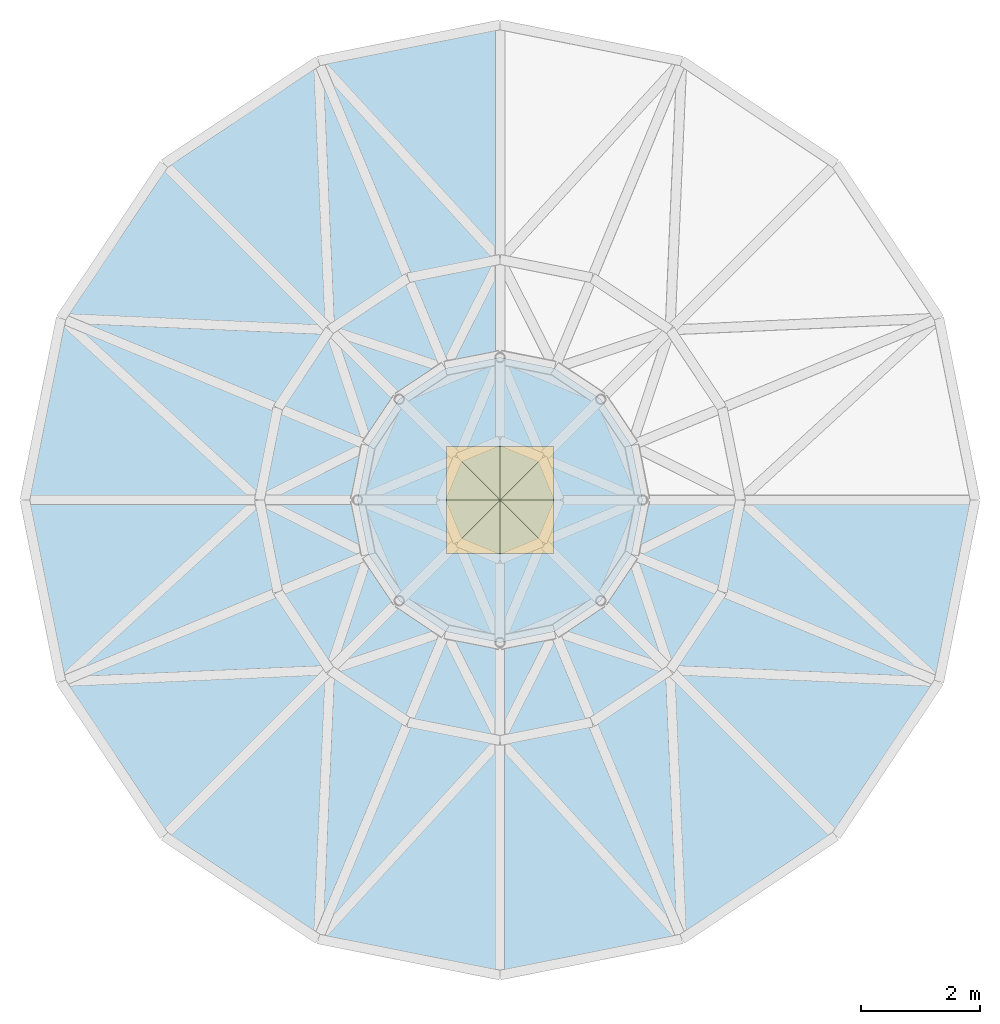
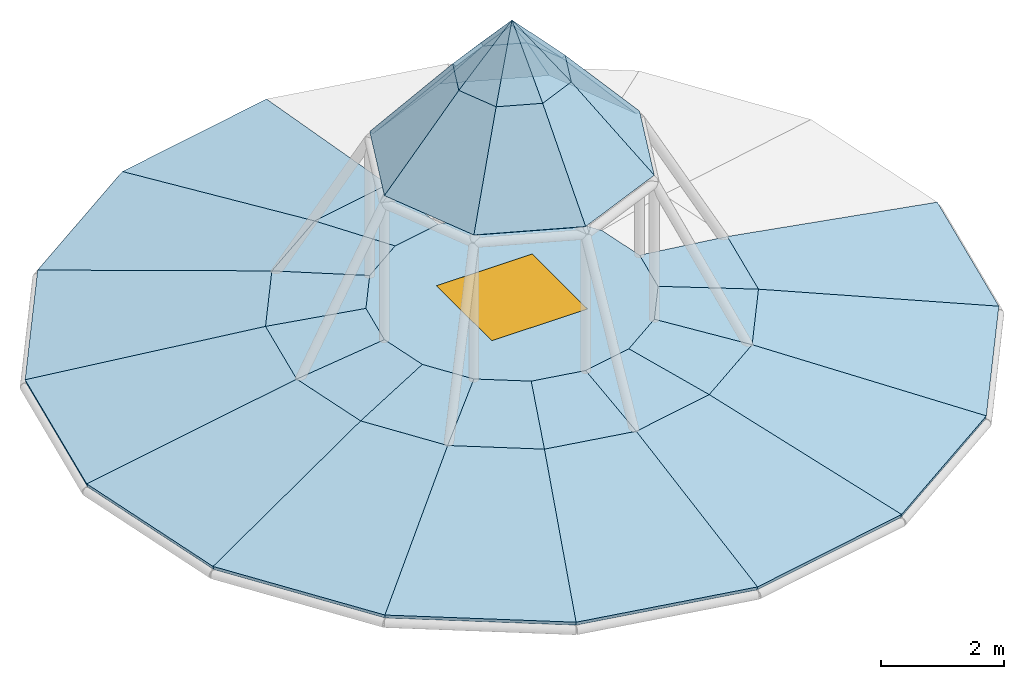
# One storey, part 3 of 4: 41 slabs, 1 window, 1 opening.
"""IFC4 building model written with IfcOpenShell, lengths in metres."""

from ifc_helpers import new_model, si_unit, direction, frame, origin, origin_2d, place, context, subcontext, project, spatial, polyline, rectangle, outline, extrude, faceted_brep, material, layer, layer_set, type_object, element, fill, save


model = new_model("IFC4")

# Units and contexts
model_context = context("Model", 3, precision=1e-05, world=origin(), true_north=direction((0.0, 1.0)))
body_context = subcontext(model_context, "Body", "Model", "MODEL_VIEW")
ifc_project = project(units=[si_unit("LENGTHUNIT", "METRE"), si_unit("AREAUNIT", "SQUARE_METRE"), si_unit("VOLUMEUNIT", "CUBIC_METRE"), si_unit("PLANEANGLEUNIT", "RADIAN"), si_unit("MASSUNIT", "GRAM", prefix="KILO")], contexts=[model_context])

# Site, building, storey
site_placement = place(None, origin())
site = spatial("IfcSite", under=ifc_project, at=site_placement, CompositionType="ELEMENT")
building_placement = place(site_placement, origin())
building = spatial("IfcBuilding", under=site, at=building_placement, Name="Kupolbacken Congress Centre", CompositionType="ELEMENT")
storey_placement = place(building_placement, frame((0.0, 0.0, 37.10009765625)))
storey = spatial("IfcBuildingStorey", under=building, at=storey_placement, Name="ROOF", CompositionType="ELEMENT", Elevation=37.10009765625)

# Slabs
ifc_material_1 = material(Name="Standing seam zinc roofing on boarding", Category="metal")
ifc_layer_1 = layer(ifc_material_1, 0.074951171875)
ifc_layer_set_1 = layer_set([ifc_layer_1], Name="Standing seam zinc roofing on boarding")
slab_type_1 = type_object("IfcSlabType", Name="DS1 dome shell panel 75", PredefinedType="ROOF", material=ifc_layer_set_1)
slab_1_placement = place(storey_placement, origin())
element("IfcSlab", 1, at=slab_1_placement, inside=storey, type_object=slab_type_1, Name="DM/PNL085", PredefinedType="ROOF", context=body_context, shape_type="Brep", body=[
    faceted_brep([(43.199951171875, 94.39990234375, 1.09912109375), (40.138427734375, 93.791015625, 1.09912109375), (41.650146484375, 90.1416015625, 1.799072265625), (43.199951171875, 90.449951171875, 1.799072265625), (43.199951171875, 90.438232421875, 1.724853515625), (41.654541015625, 90.130859375, 1.724853515625), (40.145263671875, 93.7744140625, 1.026123046875), (43.199951171875, 94.3818359375, 1.026123046875)], [[[0, 1, 2, 3]], [[4, 5, 6, 7]], [[0, 7, 6, 1]], [[1, 6, 5, 2]], [[2, 5, 4, 3]], [[3, 4, 7, 0]]]),
])
slab_2_placement = place(storey_placement, origin())
element("IfcSlab", 2, at=slab_2_placement, inside=storey, type_object=slab_type_1, Name="DM/PNL086", PredefinedType="ROOF", context=body_context, shape_type="Brep", body=[
    faceted_brep([(40.138427734375, 93.791015625, 1.09912109375), (37.543212890625, 92.056884765625, 1.09912109375), (40.336181640625, 89.263671875, 1.799072265625), (41.650146484375, 90.1416015625, 1.799072265625), (41.654541015625, 90.130859375, 1.724853515625), (40.344482421875, 89.25537109375, 1.724853515625), (37.555908203125, 92.044189453125, 1.026123046875), (40.145263671875, 93.7744140625, 1.026123046875)], [[[0, 1, 2, 3]], [[4, 5, 6, 7]], [[0, 7, 6, 1]], [[1, 6, 5, 2]], [[2, 5, 4, 3]], [[3, 4, 7, 0]]]),
])
slab_3_placement = place(storey_placement, origin())
element("IfcSlab", 3, at=slab_3_placement, inside=storey, type_object=slab_type_1, Name="DM/PNL087", PredefinedType="ROOF", context=body_context, shape_type="Brep", body=[
    faceted_brep([(37.543212890625, 92.056884765625, 1.09912109375), (35.80908203125, 89.46142578125, 1.09912109375), (39.458251953125, 87.949951171875, 1.799072265625), (40.336181640625, 89.263671875, 1.799072265625), (40.344482421875, 89.25537109375, 1.724853515625), (39.468994140625, 87.945556640625, 1.724853515625), (35.82568359375, 89.45458984375, 1.026123046875), (37.555908203125, 92.044189453125, 1.026123046875)], [[[0, 1, 2, 3]], [[4, 5, 6, 7]], [[0, 7, 6, 1]], [[1, 6, 5, 2]], [[2, 5, 4, 3]], [[3, 4, 7, 0]]]),
])
slab_4_placement = place(storey_placement, origin())
element("IfcSlab", 4, at=slab_4_placement, inside=storey, type_object=slab_type_1, Name="DM/PNL088", PredefinedType="ROOF", context=body_context, shape_type="Brep", body=[
    faceted_brep([(35.80908203125, 89.46142578125, 1.09912109375), (35.199951171875, 86.39990234375, 1.09912109375), (39.14990234375, 86.39990234375, 1.799072265625), (39.458251953125, 87.949951171875, 1.799072265625), (39.468994140625, 87.945556640625, 1.724853515625), (39.16162109375, 86.39990234375, 1.724853515625), (35.218017578125, 86.39990234375, 1.026123046875), (35.82568359375, 89.45458984375, 1.026123046875)], [[[0, 1, 2, 3]], [[4, 5, 6, 7]], [[0, 7, 6, 1]], [[1, 6, 5, 2]], [[2, 5, 4, 3]], [[3, 4, 7, 0]]]),
])
slab_5_placement = place(storey_placement, origin())
element("IfcSlab", 5, at=slab_5_placement, inside=storey, type_object=slab_type_1, Name="DM/PNL089", PredefinedType="ROOF", context=body_context, shape_type="Brep", body=[
    faceted_brep([(35.199951171875, 86.39990234375, 1.09912109375), (35.80908203125, 83.338623046875, 1.09912109375), (39.458251953125, 84.85009765625, 1.799072265625), (39.14990234375, 86.39990234375, 1.799072265625), (39.16162109375, 86.39990234375, 1.724853515625), (39.468994140625, 84.8544921875, 1.724853515625), (35.82568359375, 83.345458984375, 1.026123046875), (35.218017578125, 86.39990234375, 1.026123046875)], [[[0, 1, 2, 3]], [[4, 5, 6, 7]], [[0, 7, 6, 1]], [[1, 6, 5, 2]], [[2, 5, 4, 3]], [[3, 4, 7, 0]]]),
])
slab_6_placement = place(storey_placement, origin())
element("IfcSlab", 6, at=slab_6_placement, inside=storey, type_object=slab_type_1, Name="DM/PNL090", PredefinedType="ROOF", context=body_context, shape_type="Brep", body=[
    faceted_brep([(35.80908203125, 83.338623046875, 1.09912109375), (37.543212890625, 80.7431640625, 1.09912109375), (40.336181640625, 83.5361328125, 1.799072265625), (39.458251953125, 84.85009765625, 1.799072265625), (39.468994140625, 84.8544921875, 1.724853515625), (40.344482421875, 83.54443359375, 1.724853515625), (37.555908203125, 80.755859375, 1.026123046875), (35.82568359375, 83.345458984375, 1.026123046875)], [[[0, 1, 2, 3]], [[4, 5, 6, 7]], [[0, 7, 6, 1]], [[1, 6, 5, 2]], [[2, 5, 4, 3]], [[3, 4, 7, 0]]]),
])
slab_7_placement = place(storey_placement, origin())
element("IfcSlab", 7, at=slab_7_placement, inside=storey, type_object=slab_type_1, Name="DM/PNL091", PredefinedType="ROOF", context=body_context, shape_type="Brep", body=[
    faceted_brep([(37.543212890625, 80.7431640625, 1.09912109375), (40.138427734375, 79.009033203125, 1.09912109375), (41.650146484375, 82.658203125, 1.799072265625), (40.336181640625, 83.5361328125, 1.799072265625), (40.344482421875, 83.54443359375, 1.724853515625), (41.654541015625, 82.6689453125, 1.724853515625), (40.145263671875, 79.025634765625, 1.026123046875), (37.555908203125, 80.755859375, 1.026123046875)], [[[0, 1, 2, 3]], [[4, 5, 6, 7]], [[0, 7, 6, 1]], [[1, 6, 5, 2]], [[2, 5, 4, 3]], [[3, 4, 7, 0]]]),
])
slab_8_placement = place(storey_placement, origin())
element("IfcSlab", 8, at=slab_8_placement, inside=storey, type_object=slab_type_1, Name="DM/PNL092", PredefinedType="ROOF", context=body_context, shape_type="Brep", body=[
    faceted_brep([(40.138427734375, 79.009033203125, 1.09912109375), (43.199951171875, 78.39990234375, 1.09912109375), (43.199951171875, 82.35009765625, 1.799072265625), (41.650146484375, 82.658203125, 1.799072265625), (41.654541015625, 82.6689453125, 1.724853515625), (43.199951171875, 82.36181640625, 1.724853515625), (43.199951171875, 78.41796875, 1.026123046875), (40.145263671875, 79.025634765625, 1.026123046875)], [[[0, 1, 2, 3]], [[4, 5, 6, 7]], [[0, 7, 6, 1]], [[1, 6, 5, 2]], [[2, 5, 4, 3]], [[3, 4, 7, 0]]]),
])
slab_9_placement = place(storey_placement, origin())
element("IfcSlab", 9, at=slab_9_placement, inside=storey, type_object=slab_type_1, Name="DM/PNL093", PredefinedType="ROOF", context=body_context, shape_type="Brep", body=[
    faceted_brep([(43.199951171875, 78.39990234375, 1.09912109375), (46.261474609375, 79.009033203125, 1.09912109375), (44.749755859375, 82.658203125, 1.799072265625), (43.199951171875, 82.35009765625, 1.799072265625), (43.199951171875, 82.36181640625, 1.724853515625), (44.745361328125, 82.6689453125, 1.724853515625), (46.254638671875, 79.025634765625, 1.026123046875), (43.199951171875, 78.41796875, 1.026123046875)], [[[0, 1, 2, 3]], [[4, 5, 6, 7]], [[0, 7, 6, 1]], [[1, 6, 5, 2]], [[2, 5, 4, 3]], [[3, 4, 7, 0]]]),
])
slab_10_placement = place(storey_placement, origin())
element("IfcSlab", 10, at=slab_10_placement, inside=storey, type_object=slab_type_1, Name="DM/PNL094", PredefinedType="ROOF", context=body_context, shape_type="Brep", body=[
    faceted_brep([(46.261474609375, 79.009033203125, 1.09912109375), (48.85693359375, 80.7431640625, 1.09912109375), (46.063720703125, 83.5361328125, 1.799072265625), (44.749755859375, 82.658203125, 1.799072265625), (44.745361328125, 82.6689453125, 1.724853515625), (46.055419921875, 83.54443359375, 1.724853515625), (48.84423828125, 80.755859375, 1.026123046875), (46.254638671875, 79.025634765625, 1.026123046875)], [[[0, 1, 2, 3]], [[4, 5, 6, 7]], [[0, 7, 6, 1]], [[1, 6, 5, 2]], [[2, 5, 4, 3]], [[3, 4, 7, 0]]]),
])
slab_11_placement = place(storey_placement, origin())
element("IfcSlab", 11, at=slab_11_placement, inside=storey, type_object=slab_type_1, Name="DM/PNL095", PredefinedType="ROOF", context=body_context, shape_type="Brep", body=[
    faceted_brep([(48.85693359375, 80.7431640625, 1.09912109375), (50.591064453125, 83.338623046875, 1.09912109375), (46.941650390625, 84.85009765625, 1.799072265625), (46.063720703125, 83.5361328125, 1.799072265625), (46.055419921875, 83.54443359375, 1.724853515625), (46.930908203125, 84.8544921875, 1.724853515625), (50.574462890625, 83.345458984375, 1.026123046875), (48.84423828125, 80.755859375, 1.026123046875)], [[[0, 1, 2, 3]], [[4, 5, 6, 7]], [[0, 7, 6, 1]], [[1, 6, 5, 2]], [[2, 5, 4, 3]], [[3, 4, 7, 0]]]),
])
slab_12_placement = place(storey_placement, origin())
element("IfcSlab", 12, at=slab_12_placement, inside=storey, type_object=slab_type_1, Name="DM/PNL096", PredefinedType="ROOF", context=body_context, shape_type="Brep", body=[
    faceted_brep([(50.591064453125, 83.338623046875, 1.09912109375), (51.199951171875, 86.39990234375, 1.09912109375), (47.25, 86.39990234375, 1.799072265625), (46.941650390625, 84.85009765625, 1.799072265625), (46.930908203125, 84.8544921875, 1.724853515625), (47.23828125, 86.39990234375, 1.724853515625), (51.181884765625, 86.39990234375, 1.026123046875), (50.574462890625, 83.345458984375, 1.026123046875)], [[[0, 1, 2, 3]], [[4, 5, 6, 7]], [[0, 7, 6, 1]], [[1, 6, 5, 2]], [[2, 5, 4, 3]], [[3, 4, 7, 0]]]),
])
slab_13_placement = place(storey_placement, origin())
element("IfcSlab", 13, at=slab_13_placement, inside=storey, type_object=slab_type_1, Name="DM/PNL101", PredefinedType="ROOF", context=body_context, shape_type="Brep", body=[
    faceted_brep([(43.199951171875, 90.449951171875, 1.799072265625), (41.650146484375, 90.1416015625, 1.799072265625), (42.281494140625, 88.617431640625, 2.006103515625), (43.199951171875, 88.800048828125, 2.006103515625), (43.199951171875, 88.790283203125, 1.931640625), (42.28515625, 88.6083984375, 1.931640625), (41.654541015625, 90.130859375, 1.724853515625), (43.199951171875, 90.438232421875, 1.724853515625)], [[[0, 1, 2, 3]], [[4, 5, 6, 7]], [[0, 7, 6, 1]], [[1, 6, 5, 2]], [[2, 5, 4, 3]], [[3, 4, 7, 0]]]),
])
slab_14_placement = place(storey_placement, origin())
element("IfcSlab", 14, at=slab_14_placement, inside=storey, type_object=slab_type_1, Name="DM/PNL102", PredefinedType="ROOF", context=body_context, shape_type="Brep", body=[
    faceted_brep([(41.650146484375, 90.1416015625, 1.799072265625), (40.336181640625, 89.263671875, 1.799072265625), (41.5029296875, 88.09716796875, 2.006103515625), (42.281494140625, 88.617431640625, 2.006103515625), (42.28515625, 88.6083984375, 1.931640625), (41.509765625, 88.09033203125, 1.931640625), (40.344482421875, 89.25537109375, 1.724853515625), (41.654541015625, 90.130859375, 1.724853515625)], [[[0, 1, 2, 3]], [[4, 5, 6, 7]], [[0, 7, 6, 1]], [[1, 6, 5, 2]], [[2, 5, 4, 3]], [[3, 4, 7, 0]]]),
])
slab_15_placement = place(storey_placement, origin())
element("IfcSlab", 15, at=slab_15_placement, inside=storey, type_object=slab_type_1, Name="DM/PNL103", PredefinedType="ROOF", context=body_context, shape_type="Brep", body=[
    faceted_brep([(40.336181640625, 89.263671875, 1.799072265625), (39.458251953125, 87.949951171875, 1.799072265625), (40.982666015625, 87.318359375, 2.006103515625), (41.5029296875, 88.09716796875, 2.006103515625), (41.509765625, 88.09033203125, 1.931640625), (40.99169921875, 87.314697265625, 1.931640625), (39.468994140625, 87.945556640625, 1.724853515625), (40.344482421875, 89.25537109375, 1.724853515625)], [[[0, 1, 2, 3]], [[4, 5, 6, 7]], [[0, 7, 6, 1]], [[1, 6, 5, 2]], [[2, 5, 4, 3]], [[3, 4, 7, 0]]]),
])
slab_16_placement = place(storey_placement, origin())
element("IfcSlab", 16, at=slab_16_placement, inside=storey, type_object=slab_type_1, Name="DM/PNL104", PredefinedType="ROOF", context=body_context, shape_type="Brep", body=[
    faceted_brep([(39.458251953125, 87.949951171875, 1.799072265625), (39.14990234375, 86.39990234375, 1.799072265625), (40.800048828125, 86.39990234375, 2.006103515625), (40.982666015625, 87.318359375, 2.006103515625), (40.99169921875, 87.314697265625, 1.931640625), (40.809814453125, 86.39990234375, 1.931640625), (39.16162109375, 86.39990234375, 1.724853515625), (39.468994140625, 87.945556640625, 1.724853515625)], [[[0, 1, 2, 3]], [[4, 5, 6, 7]], [[0, 7, 6, 1]], [[1, 6, 5, 2]], [[2, 5, 4, 3]], [[3, 4, 7, 0]]]),
])
slab_17_placement = place(storey_placement, origin())
element("IfcSlab", 17, at=slab_17_placement, inside=storey, type_object=slab_type_1, Name="DM/PNL105", PredefinedType="ROOF", context=body_context, shape_type="Brep", body=[
    faceted_brep([(39.14990234375, 86.39990234375, 1.799072265625), (39.458251953125, 84.85009765625, 1.799072265625), (40.982666015625, 85.4814453125, 2.006103515625), (40.800048828125, 86.39990234375, 2.006103515625), (40.809814453125, 86.39990234375, 1.931640625), (40.99169921875, 85.485107421875, 1.931640625), (39.468994140625, 84.8544921875, 1.724853515625), (39.16162109375, 86.39990234375, 1.724853515625)], [[[0, 1, 2, 3]], [[4, 5, 6, 7]], [[0, 7, 6, 1]], [[1, 6, 5, 2]], [[2, 5, 4, 3]], [[3, 4, 7, 0]]]),
])
slab_18_placement = place(storey_placement, origin())
element("IfcSlab", 18, at=slab_18_placement, inside=storey, type_object=slab_type_1, Name="DM/PNL106", PredefinedType="ROOF", context=body_context, shape_type="Brep", body=[
    faceted_brep([(39.458251953125, 84.85009765625, 1.799072265625), (40.336181640625, 83.5361328125, 1.799072265625), (41.5029296875, 84.702880859375, 2.006103515625), (40.982666015625, 85.4814453125, 2.006103515625), (40.99169921875, 85.485107421875, 1.931640625), (41.509765625, 84.709716796875, 1.931640625), (40.344482421875, 83.54443359375, 1.724853515625), (39.468994140625, 84.8544921875, 1.724853515625)], [[[0, 1, 2, 3]], [[4, 5, 6, 7]], [[0, 7, 6, 1]], [[1, 6, 5, 2]], [[2, 5, 4, 3]], [[3, 4, 7, 0]]]),
])
slab_19_placement = place(storey_placement, origin())
element("IfcSlab", 19, at=slab_19_placement, inside=storey, type_object=slab_type_1, Name="DM/PNL107", PredefinedType="ROOF", context=body_context, shape_type="Brep", body=[
    faceted_brep([(40.336181640625, 83.5361328125, 1.799072265625), (41.650146484375, 82.658203125, 1.799072265625), (42.281494140625, 84.1826171875, 2.006103515625), (41.5029296875, 84.702880859375, 2.006103515625), (41.509765625, 84.709716796875, 1.931640625), (42.28515625, 84.191650390625, 1.931640625), (41.654541015625, 82.6689453125, 1.724853515625), (40.344482421875, 83.54443359375, 1.724853515625)], [[[0, 1, 2, 3]], [[4, 5, 6, 7]], [[0, 7, 6, 1]], [[1, 6, 5, 2]], [[2, 5, 4, 3]], [[3, 4, 7, 0]]]),
])
slab_20_placement = place(storey_placement, origin())
element("IfcSlab", 20, at=slab_20_placement, inside=storey, type_object=slab_type_1, Name="DM/PNL108", PredefinedType="ROOF", context=body_context, shape_type="Brep", body=[
    faceted_brep([(41.650146484375, 82.658203125, 1.799072265625), (43.199951171875, 82.35009765625, 1.799072265625), (43.199951171875, 84.0, 2.006103515625), (42.281494140625, 84.1826171875, 2.006103515625), (42.28515625, 84.191650390625, 1.931640625), (43.199951171875, 84.009765625, 1.931640625), (43.199951171875, 82.36181640625, 1.724853515625), (41.654541015625, 82.6689453125, 1.724853515625)], [[[0, 1, 2, 3]], [[4, 5, 6, 7]], [[0, 7, 6, 1]], [[1, 6, 5, 2]], [[2, 5, 4, 3]], [[3, 4, 7, 0]]]),
])
slab_21_placement = place(storey_placement, origin())
element("IfcSlab", 21, at=slab_21_placement, inside=storey, type_object=slab_type_1, Name="DM/PNL109", PredefinedType="ROOF", context=body_context, shape_type="Brep", body=[
    faceted_brep([(43.199951171875, 82.35009765625, 1.799072265625), (44.749755859375, 82.658203125, 1.799072265625), (44.118408203125, 84.1826171875, 2.006103515625), (43.199951171875, 84.0, 2.006103515625), (43.199951171875, 84.009765625, 1.931640625), (44.11474609375, 84.191650390625, 1.931640625), (44.745361328125, 82.6689453125, 1.724853515625), (43.199951171875, 82.36181640625, 1.724853515625)], [[[0, 1, 2, 3]], [[4, 5, 6, 7]], [[0, 7, 6, 1]], [[1, 6, 5, 2]], [[2, 5, 4, 3]], [[3, 4, 7, 0]]]),
])
slab_22_placement = place(storey_placement, origin())
element("IfcSlab", 22, at=slab_22_placement, inside=storey, type_object=slab_type_1, Name="DM/PNL110", PredefinedType="ROOF", context=body_context, shape_type="Brep", body=[
    faceted_brep([(44.749755859375, 82.658203125, 1.799072265625), (46.063720703125, 83.5361328125, 1.799072265625), (44.89697265625, 84.702880859375, 2.006103515625), (44.118408203125, 84.1826171875, 2.006103515625), (44.11474609375, 84.191650390625, 1.931640625), (44.89013671875, 84.709716796875, 1.931640625), (46.055419921875, 83.54443359375, 1.724853515625), (44.745361328125, 82.6689453125, 1.724853515625)], [[[0, 1, 2, 3]], [[4, 5, 6, 7]], [[0, 7, 6, 1]], [[1, 6, 5, 2]], [[2, 5, 4, 3]], [[3, 4, 7, 0]]]),
])
slab_23_placement = place(storey_placement, origin())
element("IfcSlab", 23, at=slab_23_placement, inside=storey, type_object=slab_type_1, Name="DM/PNL111", PredefinedType="ROOF", context=body_context, shape_type="Brep", body=[
    faceted_brep([(46.063720703125, 83.5361328125, 1.799072265625), (46.941650390625, 84.85009765625, 1.799072265625), (45.417236328125, 85.4814453125, 2.006103515625), (44.89697265625, 84.702880859375, 2.006103515625), (44.89013671875, 84.709716796875, 1.931640625), (45.408203125, 85.485107421875, 1.931640625), (46.930908203125, 84.8544921875, 1.724853515625), (46.055419921875, 83.54443359375, 1.724853515625)], [[[0, 1, 2, 3]], [[4, 5, 6, 7]], [[0, 7, 6, 1]], [[1, 6, 5, 2]], [[2, 5, 4, 3]], [[3, 4, 7, 0]]]),
])
slab_24_placement = place(storey_placement, origin())
element("IfcSlab", 24, at=slab_24_placement, inside=storey, type_object=slab_type_1, Name="DM/PNL112", PredefinedType="ROOF", context=body_context, shape_type="Brep", body=[
    faceted_brep([(46.941650390625, 84.85009765625, 1.799072265625), (47.25, 86.39990234375, 1.799072265625), (45.60009765625, 86.39990234375, 2.006103515625), (45.417236328125, 85.4814453125, 2.006103515625), (45.408203125, 85.485107421875, 1.931640625), (45.59033203125, 86.39990234375, 1.931640625), (47.23828125, 86.39990234375, 1.724853515625), (46.930908203125, 84.8544921875, 1.724853515625)], [[[0, 1, 2, 3]], [[4, 5, 6, 7]], [[0, 7, 6, 1]], [[1, 6, 5, 2]], [[2, 5, 4, 3]], [[3, 4, 7, 0]]]),
])

# Slab, opening, window
slab_25_placement = place(storey_placement, frame((0.0, 0.0, 1.930908203125)))
slab_25 = element("IfcSlab", 25, at=slab_25_placement, inside=storey, type_object=slab_type_1, Name="DM/PLATE", PredefinedType="ROOF", context=body_context, shape_type="SweptSolid", body=[
    extrude(outline(polyline([(45.60009765625, 86.39990234375), (45.417236328125, 87.318359375), (44.89697265625, 88.09716796875), (44.118408203125, 88.617431640625), (43.199951171875, 88.800048828125), (42.281494140625, 88.617431640625), (41.5029296875, 88.09716796875), (40.982666015625, 87.318359375), (40.800048828125, 86.39990234375), (40.982666015625, 85.4814453125), (41.5029296875, 84.702880859375), (42.281494140625, 84.1826171875), (43.199951171875, 84.0), (44.118408203125, 84.1826171875), (44.89697265625, 84.702880859375), (45.417236328125, 85.4814453125), (45.60009765625, 86.39990234375)]), holes=[polyline([(42.300048828125, 87.300048828125), (44.10009765625, 87.300048828125), (44.10009765625, 85.5), (42.300048828125, 85.5), (42.300048828125, 87.300048828125)])]), origin(), (0.0, 0.0, 1.0), 0.0751953125),
])
opening_placement = place(slab_25_placement, frame((43.199951171875, 86.39990234375, 0.0)))
opening = element("IfcOpeningElement", 26, at=opening_placement, cuts=slab_25, Name="Opening W21", PredefinedType="OPENING", context=body_context, shape_type="SweptSolid", body=[
    extrude(rectangle(XDim=1.800048828125, YDim=1.800048828125, at=origin_2d()), origin(), (0.0, 0.0, 1.0), 0.0751953125),
])
ifc_material_2 = material(Name="Aluminium frame with double or triple glazing", Category="aluminium")
window_type = type_object("IfcWindowType", Name="W21 rooflight 1800x1800", PartitioningType="SINGLE_PANEL", PredefinedType="SKYLIGHT", material=ifc_material_2)
window_placement = place(opening_placement, frame((0.0, 0.0, 0.025146484375)))
window = element("IfcWindow", 27, at=window_placement, inside=storey, type_object=window_type, Name="DM/PLATE/RL1", OverallHeight=1.800048828125, OverallWidth=1.800048828125, PartitioningType="SINGLE_PANEL", PredefinedType="SKYLIGHT", context=body_context, shape_type="SweptSolid", body=[
    extrude(rectangle(XDim=1.800048828125, YDim=1.800048828125, at=origin_2d()), origin(), (0.0, 0.0, 1.0), 0.050048828125),
])
fill(opening, window)

# Slabs
ifc_material_3 = material(Name="Standing seam zinc roofing on boarding", Category="metal")
ifc_layer_2 = layer(ifc_material_3, 0.06494140625)
ifc_layer_set_2 = layer_set([ifc_layer_2], Name="Standing seam zinc roofing on boarding")
slab_type_2 = type_object("IfcSlabType", Name="DS2 lantern shell panel 65", PredefinedType="ROOF", material=ifc_layer_set_2)
slab_26_placement = place(storey_placement, origin())
element("IfcSlab", 28, at=slab_26_placement, inside=storey, type_object=slab_type_2, Name="DM/LAN/CAP/PNL001", PredefinedType="ROOF", context=body_context, shape_type="Brep", body=[
    faceted_brep([(45.60009765625, 86.39990234375, 4.8701171875), (44.89697265625, 88.09716796875, 4.8701171875), (43.9072265625, 87.107177734375, 6.47216796875), (44.199951171875, 86.39990234375, 6.47216796875), (44.146240234375, 86.39990234375, 6.430419921875), (43.869140625, 87.069091796875, 6.43017578125), (44.8583984375, 88.05859375, 4.829345703125), (45.54541015625, 86.39990234375, 4.829345703125)], [[[0, 1, 2, 3]], [[4, 5, 6, 7]], [[0, 7, 6, 1]], [[1, 6, 5, 2]], [[2, 5, 4, 3]], [[3, 4, 7, 0]]]),
])
slab_27_placement = place(storey_placement, origin())
element("IfcSlab", 29, at=slab_27_placement, inside=storey, type_object=slab_type_2, Name="DM/LAN/CAP/PNL002", PredefinedType="ROOF", context=body_context, shape_type="Brep", body=[
    faceted_brep([(44.89697265625, 88.09716796875, 4.8701171875), (43.199951171875, 88.800048828125, 4.8701171875), (43.199951171875, 87.39990234375, 6.47216796875), (43.9072265625, 87.107177734375, 6.47216796875), (43.869140625, 87.069091796875, 6.43017578125), (43.199951171875, 87.34619140625, 6.43017578125), (43.199951171875, 88.7451171875, 4.8291015625), (44.858154296875, 88.058349609375, 4.829345703125)], [[[0, 1, 2, 3]], [[4, 5, 6, 7]], [[0, 7, 6, 1]], [[1, 6, 5, 2]], [[2, 5, 4, 3]], [[3, 4, 7, 0]]]),
])
slab_28_placement = place(storey_placement, origin())
element("IfcSlab", 30, at=slab_28_placement, inside=storey, type_object=slab_type_2, Name="DM/LAN/CAP/PNL003", PredefinedType="ROOF", context=body_context, shape_type="Brep", body=[
    faceted_brep([(43.199951171875, 88.800048828125, 4.8701171875), (41.5029296875, 88.09716796875, 4.8701171875), (42.492919921875, 87.107177734375, 6.47216796875), (43.199951171875, 87.39990234375, 6.47216796875), (43.199951171875, 87.34619140625, 6.430419921875), (42.531005859375, 87.069091796875, 6.43017578125), (41.54150390625, 88.05859375, 4.829345703125), (43.199951171875, 88.745361328125, 4.829345703125)], [[[0, 1, 2, 3]], [[4, 5, 6, 7]], [[0, 7, 6, 1]], [[1, 6, 5, 2]], [[2, 5, 4, 3]], [[3, 4, 7, 0]]]),
])
slab_29_placement = place(storey_placement, origin())
element("IfcSlab", 31, at=slab_29_placement, inside=storey, type_object=slab_type_2, Name="DM/LAN/CAP/PNL004", PredefinedType="ROOF", context=body_context, shape_type="Brep", body=[
    faceted_brep([(41.5029296875, 88.09716796875, 4.8701171875), (40.800048828125, 86.39990234375, 4.8701171875), (42.199951171875, 86.39990234375, 6.47216796875), (42.492919921875, 87.107177734375, 6.47216796875), (42.531005859375, 87.069091796875, 6.43017578125), (42.253662109375, 86.39990234375, 6.43017578125), (40.854736328125, 86.39990234375, 4.829345703125), (41.541748046875, 88.058349609375, 4.829345703125)], [[[0, 1, 2, 3]], [[4, 5, 6, 7]], [[0, 7, 6, 1]], [[1, 6, 5, 2]], [[2, 5, 4, 3]], [[3, 4, 7, 0]]]),
])
slab_30_placement = place(storey_placement, origin())
element("IfcSlab", 32, at=slab_30_placement, inside=storey, type_object=slab_type_2, Name="DM/LAN/CAP/PNL005", PredefinedType="ROOF", context=body_context, shape_type="Brep", body=[
    faceted_brep([(40.800048828125, 86.39990234375, 4.8701171875), (41.5029296875, 84.702880859375, 4.8701171875), (42.492919921875, 85.69287109375, 6.47216796875), (42.199951171875, 86.39990234375, 6.47216796875), (42.25390625, 86.39990234375, 6.43017578125), (42.531005859375, 85.73095703125, 6.43017578125), (41.541748046875, 84.74169921875, 4.829345703125), (40.854736328125, 86.39990234375, 4.829345703125)], [[[0, 1, 2, 3]], [[4, 5, 6, 7]], [[0, 7, 6, 1]], [[1, 6, 5, 2]], [[2, 5, 4, 3]], [[3, 4, 7, 0]]]),
])
slab_31_placement = place(storey_placement, origin())
element("IfcSlab", 33, at=slab_31_placement, inside=storey, type_object=slab_type_2, Name="DM/LAN/CAP/PNL006", PredefinedType="ROOF", context=body_context, shape_type="Brep", body=[
    faceted_brep([(41.5029296875, 84.702880859375, 4.8701171875), (43.199951171875, 84.0, 4.8701171875), (43.199951171875, 85.39990234375, 6.47216796875), (42.492919921875, 85.69287109375, 6.47216796875), (42.531005859375, 85.73095703125, 6.430419921875), (43.199951171875, 85.45361328125, 6.43017578125), (43.199951171875, 84.0546875, 4.829345703125), (41.541748046875, 84.74169921875, 4.829345703125)], [[[0, 1, 2, 3]], [[4, 5, 6, 7]], [[0, 7, 6, 1]], [[1, 6, 5, 2]], [[2, 5, 4, 3]], [[3, 4, 7, 0]]]),
])
slab_32_placement = place(storey_placement, origin())
element("IfcSlab", 34, at=slab_32_placement, inside=storey, type_object=slab_type_2, Name="DM/LAN/CAP/PNL007", PredefinedType="ROOF", context=body_context, shape_type="Brep", body=[
    faceted_brep([(43.199951171875, 84.0, 4.8701171875), (44.89697265625, 84.702880859375, 4.8701171875), (43.9072265625, 85.69287109375, 6.47216796875), (43.199951171875, 85.39990234375, 6.47216796875), (43.199951171875, 85.45361328125, 6.43017578125), (43.869140625, 85.73095703125, 6.43017578125), (44.858154296875, 84.74169921875, 4.829345703125), (43.199951171875, 84.0546875, 4.829345703125)], [[[0, 1, 2, 3]], [[4, 5, 6, 7]], [[0, 7, 6, 1]], [[1, 6, 5, 2]], [[2, 5, 4, 3]], [[3, 4, 7, 0]]]),
])
slab_33_placement = place(storey_placement, origin())
element("IfcSlab", 35, at=slab_33_placement, inside=storey, type_object=slab_type_2, Name="DM/LAN/CAP/PNL008", PredefinedType="ROOF", context=body_context, shape_type="Brep", body=[
    faceted_brep([(44.89697265625, 84.702880859375, 4.8701171875), (45.60009765625, 86.39990234375, 4.8701171875), (44.199951171875, 86.39990234375, 6.47216796875), (43.9072265625, 85.69287109375, 6.47216796875), (43.869140625, 85.73095703125, 6.43017578125), (44.146240234375, 86.39990234375, 6.43017578125), (45.545166015625, 86.39990234375, 4.8291015625), (44.858154296875, 84.74169921875, 4.829345703125)], [[[0, 1, 2, 3]], [[4, 5, 6, 7]], [[0, 7, 6, 1]], [[1, 6, 5, 2]], [[2, 5, 4, 3]], [[3, 4, 7, 0]]]),
])
slab_34_placement = place(storey_placement, origin())
element("IfcSlab", 36, at=slab_34_placement, inside=storey, type_object=slab_type_2, Name="DM/LAN/CAP/PNL009", PredefinedType="ROOF", context=body_context, shape_type="Brep", body=[
    faceted_brep([(44.199951171875, 86.39990234375, 6.47216796875), (43.9072265625, 87.107177734375, 6.47216796875), (43.199951171875, 86.39990234375, 7.522216796875), (43.199951171875, 86.39990234375, 7.423828125), (43.869140625, 87.069091796875, 6.43017578125), (44.146240234375, 86.39990234375, 6.43017578125)], [[[0, 1, 2]], [[3, 4, 5]], [[0, 5, 4, 1]], [[1, 4, 3, 2]], [[2, 3, 5, 0]]]),
])
slab_35_placement = place(storey_placement, origin())
element("IfcSlab", 37, at=slab_35_placement, inside=storey, type_object=slab_type_2, Name="DM/LAN/CAP/PNL010", PredefinedType="ROOF", context=body_context, shape_type="Brep", body=[
    faceted_brep([(43.9072265625, 87.107177734375, 6.47216796875), (43.199951171875, 87.39990234375, 6.47216796875), (43.199951171875, 86.39990234375, 7.522216796875), (43.199951171875, 86.39990234375, 7.423828125), (43.199951171875, 87.34619140625, 6.43017578125), (43.869140625, 87.069091796875, 6.43017578125)], [[[0, 1, 2]], [[3, 4, 5]], [[0, 5, 4, 1]], [[1, 4, 3, 2]], [[2, 3, 5, 0]]]),
])
slab_36_placement = place(storey_placement, origin())
element("IfcSlab", 38, at=slab_36_placement, inside=storey, type_object=slab_type_2, Name="DM/LAN/CAP/PNL011", PredefinedType="ROOF", context=body_context, shape_type="Brep", body=[
    faceted_brep([(43.199951171875, 87.39990234375, 6.47216796875), (42.492919921875, 87.107177734375, 6.47216796875), (43.199951171875, 86.39990234375, 7.522216796875), (43.199951171875, 86.39990234375, 7.423828125), (42.531005859375, 87.069091796875, 6.43017578125), (43.199951171875, 87.34619140625, 6.43017578125)], [[[0, 1, 2]], [[3, 4, 5]], [[0, 5, 4, 1]], [[1, 4, 3, 2]], [[2, 3, 5, 0]]]),
])
slab_37_placement = place(storey_placement, origin())
element("IfcSlab", 39, at=slab_37_placement, inside=storey, type_object=slab_type_2, Name="DM/LAN/CAP/PNL012", PredefinedType="ROOF", context=body_context, shape_type="Brep", body=[
    faceted_brep([(42.492919921875, 87.107177734375, 6.47216796875), (42.199951171875, 86.39990234375, 6.47216796875), (43.199951171875, 86.39990234375, 7.522216796875), (43.199951171875, 86.39990234375, 7.423828125), (42.253662109375, 86.39990234375, 6.43017578125), (42.531005859375, 87.069091796875, 6.43017578125)], [[[0, 1, 2]], [[3, 4, 5]], [[0, 5, 4, 1]], [[1, 4, 3, 2]], [[2, 3, 5, 0]]]),
])
slab_38_placement = place(storey_placement, origin())
element("IfcSlab", 40, at=slab_38_placement, inside=storey, type_object=slab_type_2, Name="DM/LAN/CAP/PNL013", PredefinedType="ROOF", context=body_context, shape_type="Brep", body=[
    faceted_brep([(42.199951171875, 86.39990234375, 6.47216796875), (42.492919921875, 85.69287109375, 6.47216796875), (43.199951171875, 86.39990234375, 7.522216796875), (43.199951171875, 86.39990234375, 7.423828125), (42.531005859375, 85.73095703125, 6.43017578125), (42.253662109375, 86.39990234375, 6.43017578125)], [[[0, 1, 2]], [[3, 4, 5]], [[0, 5, 4, 1]], [[1, 4, 3, 2]], [[2, 3, 5, 0]]]),
])
slab_39_placement = place(storey_placement, origin())
element("IfcSlab", 41, at=slab_39_placement, inside=storey, type_object=slab_type_2, Name="DM/LAN/CAP/PNL014", PredefinedType="ROOF", context=body_context, shape_type="Brep", body=[
    faceted_brep([(42.492919921875, 85.69287109375, 6.47216796875), (43.199951171875, 85.39990234375, 6.47216796875), (43.199951171875, 86.39990234375, 7.522216796875), (43.199951171875, 86.39990234375, 7.423828125), (43.199951171875, 85.45361328125, 6.43017578125), (42.531005859375, 85.73095703125, 6.43017578125)], [[[0, 1, 2]], [[3, 4, 5]], [[0, 5, 4, 1]], [[1, 4, 3, 2]], [[2, 3, 5, 0]]]),
])
slab_40_placement = place(storey_placement, origin())
element("IfcSlab", 42, at=slab_40_placement, inside=storey, type_object=slab_type_2, Name="DM/LAN/CAP/PNL015", PredefinedType="ROOF", context=body_context, shape_type="Brep", body=[
    faceted_brep([(43.199951171875, 85.39990234375, 6.47216796875), (43.9072265625, 85.69287109375, 6.47216796875), (43.199951171875, 86.39990234375, 7.522216796875), (43.199951171875, 86.39990234375, 7.423828125), (43.869140625, 85.73095703125, 6.43017578125), (43.199951171875, 85.45361328125, 6.43017578125)], [[[0, 1, 2]], [[3, 4, 5]], [[0, 5, 4, 1]], [[1, 4, 3, 2]], [[2, 3, 5, 0]]]),
])
slab_41_placement = place(storey_placement, origin())
element("IfcSlab", 43, at=slab_41_placement, inside=storey, type_object=slab_type_2, Name="DM/LAN/CAP/PNL016", PredefinedType="ROOF", context=body_context, shape_type="Brep", body=[
    faceted_brep([(43.9072265625, 85.69287109375, 6.47216796875), (44.199951171875, 86.39990234375, 6.47216796875), (43.199951171875, 86.39990234375, 7.522216796875), (43.199951171875, 86.39990234375, 7.423828125), (44.146240234375, 86.39990234375, 6.43017578125), (43.869140625, 85.73095703125, 6.43017578125)], [[[0, 1, 2]], [[3, 4, 5]], [[0, 5, 4, 1]], [[1, 4, 3, 2]], [[2, 3, 5, 0]]]),
])

save(model, "model.ifc")
